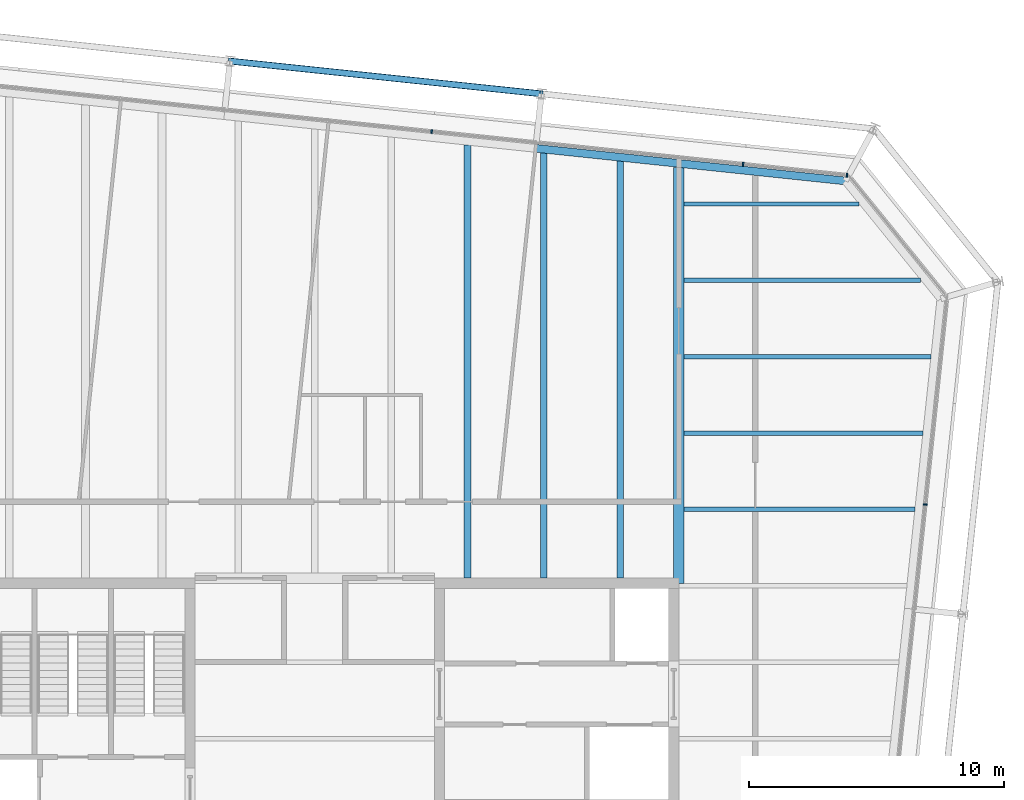
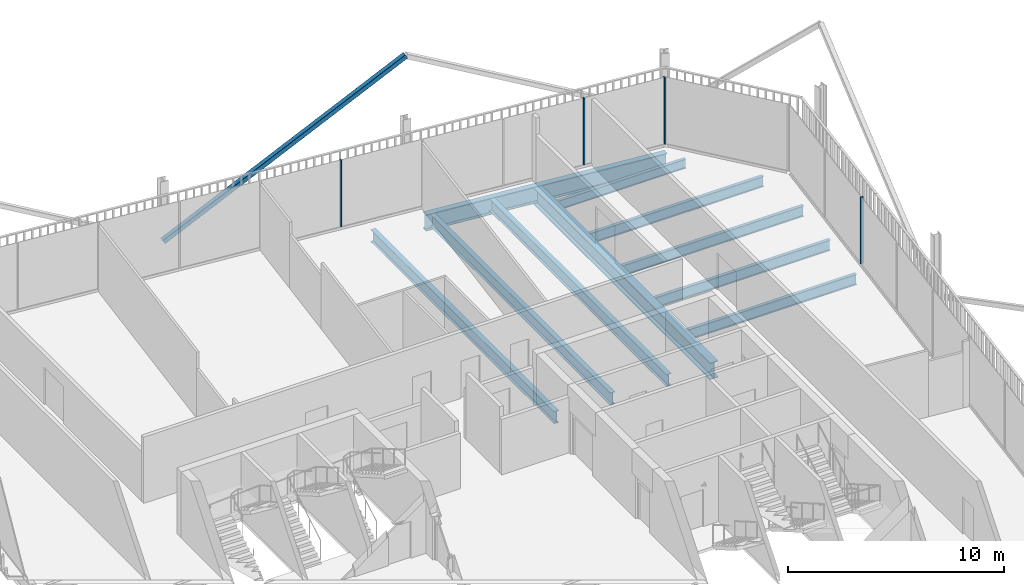
# One storey, part 14 of 21: 10 beams, 5 members, 2 elements without a shape of their own.
"""IFC4 building model written with IfcOpenShell, lengths in metres."""

from ifc_helpers import new_model, si_unit, direction, frame, origin, origin_2d, place, context, subcontext, project, spatial, rectangle, hollow_rectangle, i_section, extrude, material, layer, layer_set, material_profile, profile_set, type_object, element, aggregate, save


model = new_model("IFC4")

# Units and contexts
model_context = context("Model", 3, precision=1e-05, world=origin(), true_north=direction((0.0, 1.0)))
body_context = subcontext(model_context, "Body", "Model", "MODEL_VIEW")
ifc_project = project(units=[si_unit("LENGTHUNIT", "METRE"), si_unit("AREAUNIT", "SQUARE_METRE"), si_unit("VOLUMEUNIT", "CUBIC_METRE"), si_unit("PLANEANGLEUNIT", "RADIAN"), si_unit("MASSUNIT", "GRAM", prefix="KILO")], contexts=[model_context])

# Site, building, storey
site_placement = place(None, origin())
site = spatial("IfcSite", under=ifc_project, at=site_placement, CompositionType="ELEMENT")
building_placement = place(site_placement, origin())
building = spatial("IfcBuilding", under=site, at=building_placement, Name="Millrace Tower", CompositionType="ELEMENT")
storey_placement = place(building_placement, frame((0.0, 0.0, 283.800048828125)))
storey = spatial("IfcBuildingStorey", under=building, at=storey_placement, Name="L65", CompositionType="ELEMENT", Elevation=283.800048828125)

# Curtain wall, member
ifc_material_1 = material(Name="Aluminium and glass", Category="aluminium")
ifc_layer = layer(ifc_material_1, 0.14990234375)
ifc_layer_set = layer_set([ifc_layer], Name="Aluminium and glass")
curtain_wall_type = type_object("IfcCurtainWallType", Name="CW-1 office vision curtain wall", PredefinedType="NOTDEFINED", material=ifc_layer_set)
placement = place(storey_placement, origin())
curtain_wall_1 = element("IfcCurtainWall", 1, at=placement, inside=storey, type_object=curtain_wall_type, Name="Curtain wall E-F04 L65", PredefinedType="NOTDEFINED")
ifc_material_2 = material(Name="Aluminium", Category="aluminium")
ifc_material_profile_1 = material_profile(ifc_material_2, rectangle(XDim=0.06494140625, YDim=0.14990234375, at=origin_2d()))
ifc_profile_set_1 = profile_set([ifc_material_profile_1], Name="Aluminium")
member_type_1 = type_object("IfcMemberType", Name="CW-1 office vision curtain wall mullion", PredefinedType="MULLION", material=ifc_profile_set_1)
member_1_placement = place(storey_placement, frame((23.974853515625, 12.1904296875, 0.139892578125), z_axis=(0.0, 0.0, 1.0), x_axis=(0.104528455196, 0.994521896217, 0.0)))
member_1 = element("IfcMember", 2, at=member_1_placement, type_object=member_type_1, Name="CW1 mullion E-F04.8", PredefinedType="MULLION", context=body_context, shape_type="SweptSolid", body=[
    extrude(rectangle(XDim=0.06494140625, YDim=0.14990234375, at=origin_2d()), origin(), (0.0, 0.0, 1.0), 3.760009765625),
])
aggregate(curtain_wall_1, [member_1])

# Curtain wall, members
curtain_wall_2 = element("IfcCurtainWall", 3, at=placement, inside=storey, type_object=curtain_wall_type, Name="Curtain wall E-F06 L65", PredefinedType="NOTDEFINED")
member_2_placement = place(storey_placement, frame((20.902587890625, 25.124755859375, 0.139892578125), z_axis=(0.0, 0.0, 1.0), x_axis=(-0.994521896217, 0.104528455196, 0.0)))
member_2 = element("IfcMember", 4, at=member_2_placement, type_object=member_type_1, Name="CW1 mullion E-F06.1", PredefinedType="MULLION", context=body_context, shape_type="SweptSolid", body=[
    extrude(rectangle(XDim=0.06494140625, YDim=0.14990234375, at=origin_2d()), origin(), (0.0, 0.0, 1.0), 3.760009765625),
])
member_3_placement = place(storey_placement, frame((16.824951171875, 25.553466796875, 0.139892578125), z_axis=(0.0, 0.0, 1.0), x_axis=(-0.994521896217, 0.104528455196, 0.0)))
member_3 = element("IfcMember", 5, at=member_3_placement, type_object=member_type_1, Name="CW1 mullion E-F06.2", PredefinedType="MULLION", context=body_context, shape_type="SweptSolid", body=[
    extrude(rectangle(XDim=0.06494140625, YDim=0.14990234375, at=origin_2d()), origin(), (0.0, 0.0, 1.0), 3.760009765625),
])
member_4_placement = place(storey_placement, frame((4.59228515625, 26.839111328125, 0.139892578125), z_axis=(0.0, 0.0, 1.0), x_axis=(-0.994521896217, 0.104528455196, 0.0)))
member_4 = element("IfcMember", 6, at=member_4_placement, type_object=member_type_1, Name="CW1 mullion E-F06.5", PredefinedType="MULLION", context=body_context, shape_type="SweptSolid", body=[
    extrude(rectangle(XDim=0.06494140625, YDim=0.14990234375, at=origin_2d()), origin(), (0.0, 0.0, 1.0), 3.760009765625),
])
aggregate(curtain_wall_2, [member_2, member_3, member_4])

# Member
ifc_material_3 = material(Name="Steel ASTM A500 Grade C", Category="steel")
ifc_material_profile_2 = material_profile(ifc_material_3, hollow_rectangle(XDim=0.25390625, YDim=0.25390625, WallThickness=0.0126953125, InnerFilletRadius=0.00634765625, OuterFilletRadius=0.01904296875, at=origin_2d()))
ifc_profile_set_2 = profile_set([ifc_material_profile_2], Name="Steel ASTM A500 Grade C")
member_type_2 = type_object("IfcMemberType", Name="Exoskeleton brace HSS10x10x1/2", PredefinedType="BRACE", material=ifc_profile_set_2)
member_5_placement = place(storey_placement, frame((-3.329345703125, 29.607177734375, 0.39990234375), z_axis=(0.864351522622, -0.090842732624, 0.494615045537), x_axis=(0.104523600289, 0.994522406476, 0.0)))
element("IfcMember", 7, at=member_5_placement, inside=storey, type_object=member_type_2, Name="BRC-E-L65-11", PredefinedType="BRACE", context=body_context, shape_type="SweptSolid", body=[
    extrude(hollow_rectangle(XDim=0.25390625, YDim=0.25390625, WallThickness=0.0126953125, InnerFilletRadius=0.00634765625, OuterFilletRadius=0.01904296875, at=origin_2d()), origin(), (0.0, 0.0, 1.0), 14.15234375),
])

# Beams
ifc_material_4 = material(Name="Steel ASTM A992 Grade 50", Category="steel")
ifc_material_profile_3 = material_profile(ifc_material_4, i_section(OverallWidth=0.1650390625, OverallDepth=0.52587890625, WebThickness=0.0087890625, FlangeThickness=0.011474609375, FilletRadius=0.0126953125, at=origin_2d()))
ifc_profile_set_3 = profile_set([ifc_material_profile_3], Name="Steel ASTM A992 Grade 50")
beam_type_1 = type_object("IfcBeamType", Name="Floor beam W21x44", PredefinedType="JOIST", material=ifc_profile_set_3)
beam_1_placement = place(storey_placement, frame((14.509521484375, 24.0, -0.4228515625), z_axis=(1.0, 0.0, 0.0), x_axis=(0.0, 1.0, 0.0)))
element("IfcBeam", 8, at=beam_1_placement, inside=storey, type_object=beam_type_1, Name="BM-E-L65-S1-S034", PredefinedType="JOIST", context=body_context, shape_type="SweptSolid", body=[
    extrude(i_section(OverallWidth=0.1650390625, OverallDepth=0.52587890625, WebThickness=0.0087890625, FlangeThickness=0.011474609375, FilletRadius=0.0126953125, at=origin_2d()), origin(), (0.0, 0.0, 1.0), 6.861572265625),
])
ifc_material_5 = material(Name="Steel ASTM A992 Grade 50", Category="steel")
ifc_material_profile_4 = material_profile(ifc_material_5, i_section(OverallWidth=0.177978515625, OverallDepth=0.599365234375, WebThickness=0.010009765625, FlangeThickness=0.012939453125, FilletRadius=0.012939453125, at=origin_2d()))
ifc_profile_set_4 = profile_set([ifc_material_profile_4], Name="Steel ASTM A992 Grade 50")
beam_type_2 = type_object("IfcBeamType", Name="Floor beam W24x55", PredefinedType="JOIST", material=ifc_profile_set_4)
beam_2_placement = place(storey_placement, frame((14.509521484375, 12.0, -0.459716796875), z_axis=(1.0, 0.0, 0.0), x_axis=(0.0, 1.0, 0.0)))
element("IfcBeam", 9, at=beam_2_placement, inside=storey, type_object=beam_type_2, Name="BM-E-L65-S1-S026", PredefinedType="JOIST", context=body_context, shape_type="SweptSolid", body=[
    extrude(i_section(OverallWidth=0.177978515625, OverallDepth=0.599365234375, WebThickness=0.010009765625, FlangeThickness=0.012939453125, FilletRadius=0.012939453125, at=origin_2d()), origin(), (0.0, 0.0, 1.0), 9.060791015625),
])
beam_3_placement = place(storey_placement, frame((14.509521484375, 15.0, -0.459716796875), z_axis=(1.0, 0.0, 0.0), x_axis=(0.0, 1.0, 0.0)))
element("IfcBeam", 10, at=beam_3_placement, inside=storey, type_object=beam_type_2, Name="BM-E-L65-S1-S028", PredefinedType="JOIST", context=body_context, shape_type="SweptSolid", body=[
    extrude(i_section(OverallWidth=0.177978515625, OverallDepth=0.599365234375, WebThickness=0.010009765625, FlangeThickness=0.012939453125, FilletRadius=0.012939453125, at=origin_2d()), origin(), (0.0, 0.0, 1.0), 9.376220703125),
])
beam_4_placement = place(storey_placement, frame((14.509521484375, 18.0, -0.459716796875), z_axis=(1.0, 0.0, 0.0), x_axis=(0.0, 1.0, 0.0)))
element("IfcBeam", 11, at=beam_4_placement, inside=storey, type_object=beam_type_2, Name="BM-E-L65-S1-S030", PredefinedType="JOIST", context=body_context, shape_type="SweptSolid", body=[
    extrude(i_section(OverallWidth=0.177978515625, OverallDepth=0.599365234375, WebThickness=0.010009765625, FlangeThickness=0.012939453125, FilletRadius=0.012939453125, at=origin_2d()), origin(), (0.0, 0.0, 1.0), 9.69140625),
])
beam_5_placement = place(storey_placement, frame((14.509521484375, 21.0, -0.459716796875), z_axis=(1.0, 0.0, 0.0), x_axis=(0.0, 1.0, 0.0)))
element("IfcBeam", 12, at=beam_5_placement, inside=storey, type_object=beam_type_2, Name="BM-E-L65-S1-S032", PredefinedType="JOIST", context=body_context, shape_type="SweptSolid", body=[
    extrude(i_section(OverallWidth=0.177978515625, OverallDepth=0.599365234375, WebThickness=0.010009765625, FlangeThickness=0.012939453125, FilletRadius=0.012939453125, at=origin_2d()), origin(), (0.0, 0.0, 1.0), 9.282958984375),
])
ifc_material_6 = material(Name="Steel ASTM A992 Grade 50", Category="steel")
ifc_material_profile_5 = material_profile(ifc_material_6, i_section(OverallWidth=0.256591796875, OverallDepth=0.693359375, WebThickness=0.014404296875, FlangeThickness=0.023681640625, FilletRadius=0.01513671875, at=origin_2d()))
ifc_profile_set_5 = profile_set([ifc_material_profile_5], Name="Steel ASTM A992 Grade 50")
beam_type_3 = type_object("IfcBeamType", Name="Floor beam W27x114", PredefinedType="JOIST", material=ifc_profile_set_5)
beam_6_placement = place(storey_placement, frame((6.0, 9.300048828125, -0.5068359375), z_axis=(0.0, 1.0, 0.0), x_axis=(-1.0, 0.0, 0.0)))
element("IfcBeam", 13, at=beam_6_placement, inside=storey, type_object=beam_type_3, Name="BM-E-L65-S1-S048", PredefinedType="JOIST", context=body_context, shape_type="SweptSolid", body=[
    extrude(i_section(OverallWidth=0.256591796875, OverallDepth=0.693359375, WebThickness=0.014404296875, FlangeThickness=0.023681640625, FilletRadius=0.01513671875, at=origin_2d()), origin(), (0.0, 0.0, 1.0), 17.006591796875),
])
beam_7_placement = place(storey_placement, frame((9.0, 9.300048828125, -0.5068359375), z_axis=(0.0, 1.0, 0.0), x_axis=(-1.0, 0.0, 0.0)))
element("IfcBeam", 14, at=beam_7_placement, inside=storey, type_object=beam_type_3, Name="BM-E-L65-S1-S050", PredefinedType="JOIST", context=body_context, shape_type="SweptSolid", body=[
    extrude(i_section(OverallWidth=0.256591796875, OverallDepth=0.693359375, WebThickness=0.014404296875, FlangeThickness=0.023681640625, FilletRadius=0.01513671875, at=origin_2d()), origin(), (0.0, 0.0, 1.0), 16.69140625),
])
beam_8_placement = place(storey_placement, frame((12.0, 9.300048828125, -0.5068359375), z_axis=(0.0, 1.0, 0.0), x_axis=(-1.0, 0.0, 0.0)))
element("IfcBeam", 15, at=beam_8_placement, inside=storey, type_object=beam_type_3, Name="BM-E-L65-S1-S052", PredefinedType="JOIST", context=body_context, shape_type="SweptSolid", body=[
    extrude(i_section(OverallWidth=0.256591796875, OverallDepth=0.693359375, WebThickness=0.014404296875, FlangeThickness=0.023681640625, FilletRadius=0.01513671875, at=origin_2d()), origin(), (0.0, 0.0, 1.0), 16.3759765625),
])
ifc_material_7 = material(Name="Steel ASTM A992 Grade 50", Category="steel")
ifc_material_profile_6 = material_profile(ifc_material_7, i_section(OverallWidth=0.424072265625, OverallDepth=0.947509765625, WebThickness=0.02392578125, FlangeThickness=0.042724609375, FilletRadius=0.024169921875, at=origin_2d()))
ifc_profile_set_6 = profile_set([ifc_material_profile_6], Name="Steel ASTM A992 Grade 50")
beam_type_4 = type_object("IfcBeamType", Name="Girder medium span W36x302", PredefinedType="BEAM", material=ifc_profile_set_6)
beam_9_placement = place(storey_placement, frame((14.300048828125, 9.092041015625, -0.6337890625), z_axis=(0.0, 1.0, 0.0), x_axis=(-1.0, 0.0, 0.0)))
element("IfcBeam", 16, at=beam_9_placement, inside=storey, type_object=beam_type_4, Name="BM-E-L65-S1-G056", PredefinedType="BEAM", context=body_context, shape_type="SweptSolid", body=[
    extrude(i_section(OverallWidth=0.424072265625, OverallDepth=0.947509765625, WebThickness=0.02392578125, FlangeThickness=0.042724609375, FilletRadius=0.024169921875, at=origin_2d()), origin(), (0.0, 0.0, 1.0), 16.34228515625),
])
ifc_material_8 = material(Name="Steel ASTM A992 Grade 50", Category="steel")
ifc_material_profile_7 = material_profile(ifc_material_8, i_section(OverallWidth=0.307373046875, OverallDepth=0.927001953125, WebThickness=0.01953125, FlangeThickness=0.031982421875, FilletRadius=0.01904296875, at=origin_2d()))
ifc_profile_set_7 = profile_set([ifc_material_profile_7], Name="Steel ASTM A992 Grade 50")
beam_type_5 = type_object("IfcBeamType", Name="Ring beam medium span W36x194", PredefinedType="SPANDREL", material=ifc_profile_set_7)
beam_10_placement = place(storey_placement, frame((8.67822265625, 26.1796875, -0.62353515625), z_axis=(0.994521948696, -0.104527955888, 0.0), x_axis=(0.104527955888, 0.994521948696, 0.0)))
element("IfcBeam", 17, at=beam_10_placement, inside=storey, type_object=beam_type_5, Name="RNG-E-L65-S1-07", PredefinedType="SPANDREL", context=body_context, shape_type="SweptSolid", body=[
    extrude(i_section(OverallWidth=0.307373046875, OverallDepth=0.927001953125, WebThickness=0.01953125, FlangeThickness=0.031982421875, FilletRadius=0.01904296875, at=origin_2d()), origin(), (0.0, 0.0, 1.0), 12.236572265625),
])

save(model, "model.ifc")
